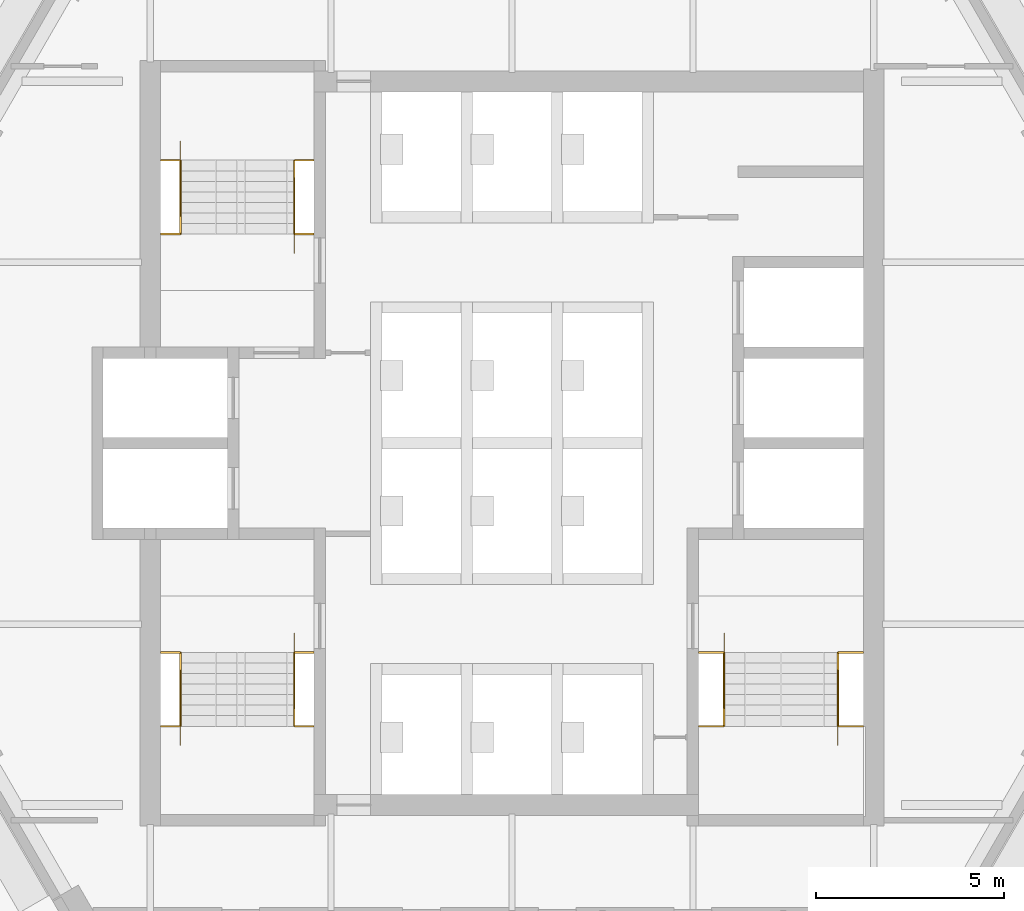
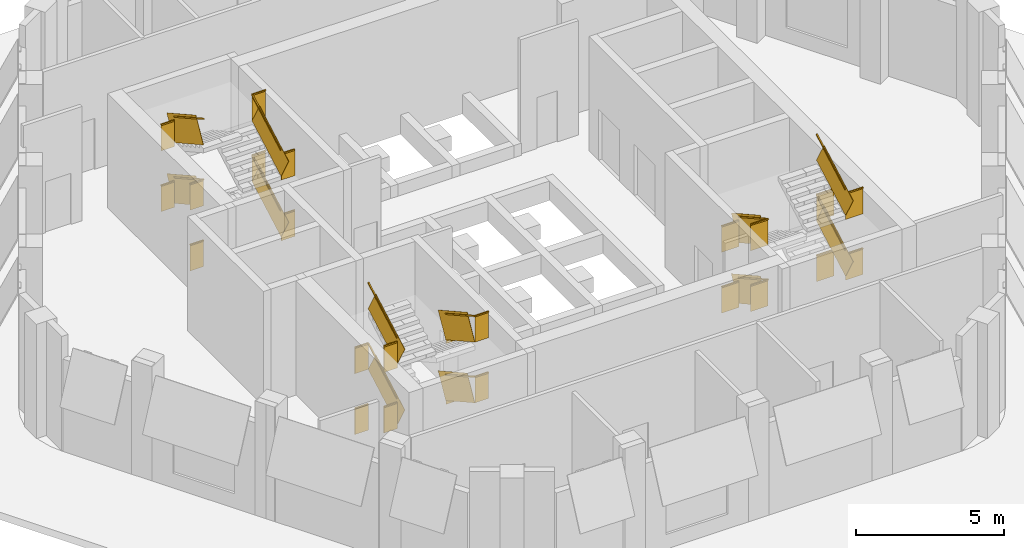
# One storey, part 9 of 9: 6 railings.
"""IFC4 building model written with IfcOpenShell, lengths in metres."""

from ifc_helpers import new_model, si_unit, direction, frame, frame_2d, origin, origin_2d, place, context, subcontext, project, spatial, rectangle, extrude, material, type_object, element, save


model = new_model("IFC4")

# Units and contexts
model_context = context("Model", 3, precision=1e-05, world=origin(), true_north=direction((0.0, 1.0)))
body_context = subcontext(model_context, "Body", "Model", "MODEL_VIEW")
ifc_project = project(units=[si_unit("LENGTHUNIT", "METRE"), si_unit("AREAUNIT", "SQUARE_METRE"), si_unit("VOLUMEUNIT", "CUBIC_METRE"), si_unit("PLANEANGLEUNIT", "RADIAN"), si_unit("MASSUNIT", "GRAM", prefix="KILO")], contexts=[model_context])

# Site, building, storey
site_placement = place(None, origin())
site = spatial("IfcSite", under=ifc_project, at=site_placement, CompositionType="ELEMENT")
building_placement = place(site_placement, origin())
building = spatial("IfcBuilding", under=site, at=building_placement, Name="Kolab Exchange Tower", CompositionType="ELEMENT")
storey_placement = place(building_placement, frame((0.0, 0.0, 296.89990234375)))
storey = spatial("IfcBuildingStorey", under=building, at=storey_placement, Name="L67", CompositionType="ELEMENT", Elevation=296.89990234375)

# Railings
ifc_material = material(Name="Stainless steel 316", Category="steel")
railing_type = type_object("IfcRailingType", Name="GUARD 1100", PredefinedType="GUARDRAIL", material=ifc_material)
railing_1_placement = place(storey_placement, frame((-9.324951171875, 5.550048828125, 0.0)))
element("IfcRailing", 1, at=railing_1_placement, inside=storey, type_object=railing_type, Name="Guard ST1", PredefinedType="GUARDRAIL", context=body_context, shape_type="SweptSolid", body=[
    extrude(rectangle(XDim=0.05, YDim=0.05, at=origin_2d()), frame((0.0, 0.0, 1.0751953125), z_axis=(1.0, 0.0, 0.0), x_axis=(0.0, 1.0, 0.0)), (0.0, 0.0, 1.0), 0.52734375),
    extrude(rectangle(XDim=0.012, YDim=1.05009765625, at=frame_2d((0.0, 0.525146484375))), frame((0.0, 0.0, 0.0), z_axis=(1.0, 0.0, 0.0), x_axis=(0.0, 1.0, 0.0)), (0.0, 0.0, 1.0), 0.52734375),
    extrude(rectangle(XDim=0.05, YDim=0.05, at=origin_2d()), frame((3.54736328125, 0.0, 1.0751953125), z_axis=(1.0, 0.0, 0.0), x_axis=(0.0, 1.0, 0.0)), (0.0, 0.0, 1.0), 0.527587890625),
    extrude(rectangle(XDim=0.012, YDim=1.05009765625, at=frame_2d((0.0, 0.525146484375))), frame((3.54736328125, 0.0, 0.0), z_axis=(1.0, 0.0, 0.0), x_axis=(0.0, 1.0, 0.0)), (0.0, 0.0, 1.0), 0.527587890625),
    extrude(rectangle(XDim=0.05, YDim=0.05, at=origin_2d()), frame((0.0, 1.9599609375, 2.3251953125), z_axis=(1.0, 0.0, 0.0), x_axis=(0.0, 1.0, 0.0)), (0.0, 0.0, 1.0), 0.52734375),
    extrude(rectangle(XDim=0.012, YDim=1.05009765625, at=frame_2d((0.0, 0.525146484375))), frame((0.0, 1.9599609375, 1.25), z_axis=(1.0, 0.0, 0.0), x_axis=(0.0, 1.0, 0.0)), (0.0, 0.0, 1.0), 0.52734375),
    extrude(rectangle(XDim=0.05, YDim=0.05, at=origin_2d()), frame((3.54736328125, 1.9599609375, 2.3251953125), z_axis=(1.0, 0.0, 0.0), x_axis=(0.0, 1.0, 0.0)), (0.0, 0.0, 1.0), 0.527587890625),
    extrude(rectangle(XDim=0.012, YDim=1.05009765625, at=frame_2d((0.0, 0.525146484375))), frame((3.54736328125, 1.9599609375, 1.25), z_axis=(1.0, 0.0, 0.0), x_axis=(0.0, 1.0, 0.0)), (0.0, 0.0, 1.0), 0.527587890625),
    extrude(rectangle(XDim=0.05, YDim=0.05, at=origin_2d()), frame((0.0, 0.0, 3.5751953125), z_axis=(1.0, 0.0, 0.0), x_axis=(0.0, 1.0, 0.0)), (0.0, 0.0, 1.0), 0.52734375),
    extrude(rectangle(XDim=0.012, YDim=1.05009765625, at=frame_2d((0.0, 0.525146484375))), frame((0.0, 0.0, 2.5), z_axis=(1.0, 0.0, 0.0), x_axis=(0.0, 1.0, 0.0)), (0.0, 0.0, 1.0), 0.52734375),
    extrude(rectangle(XDim=0.05, YDim=0.05, at=origin_2d()), frame((3.54736328125, 0.0, 3.5751953125), z_axis=(1.0, 0.0, 0.0), x_axis=(0.0, 1.0, 0.0)), (0.0, 0.0, 1.0), 0.527587890625),
    extrude(rectangle(XDim=0.012, YDim=1.05009765625, at=frame_2d((0.0, 0.525146484375))), frame((3.54736328125, 0.0, 2.5), z_axis=(1.0, 0.0, 0.0), x_axis=(0.0, 1.0, 0.0)), (0.0, 0.0, 1.0), 0.527587890625),
    extrude(rectangle(XDim=0.05, YDim=0.05, at=origin_2d()), frame((0.0, 1.9599609375, 4.8251953125), z_axis=(1.0, 0.0, 0.0), x_axis=(0.0, 1.0, 0.0)), (0.0, 0.0, 1.0), 0.52734375),
    extrude(rectangle(XDim=0.012, YDim=1.05009765625, at=frame_2d((0.0, 0.525146484375))), frame((0.0, 1.9599609375, 3.75), z_axis=(1.0, 0.0, 0.0), x_axis=(0.0, 1.0, 0.0)), (0.0, 0.0, 1.0), 0.52734375),
    extrude(rectangle(XDim=0.05, YDim=0.05, at=origin_2d()), frame((3.54736328125, 1.9599609375, 4.8251953125), z_axis=(1.0, 0.0, 0.0), x_axis=(0.0, 1.0, 0.0)), (0.0, 0.0, 1.0), 0.527587890625),
    extrude(rectangle(XDim=0.012, YDim=1.05009765625, at=frame_2d((0.0, 0.525146484375))), frame((3.54736328125, 1.9599609375, 3.75), z_axis=(1.0, 0.0, 0.0), x_axis=(0.0, 1.0, 0.0)), (0.0, 0.0, 1.0), 0.527587890625),
])
railing_2_placement = place(storey_placement, frame((-5.777587890625, 5.550048828125, 0.15625)))
element("IfcRailing", 2, at=railing_2_placement, inside=storey, type_object=railing_type, Name="Handrail guard ST1", PredefinedType="GUARDRAIL", context=body_context, shape_type="SweptSolid", body=[
    extrude(rectangle(XDim=0.05, YDim=0.05, at=origin_2d()), frame((0.0, 0.0, 1.0751953125), z_axis=(0.0, 0.873232148454, 0.487304437602), x_axis=(-1.0, 0.0, 0.0)), (0.0, 0.0, 1.0), 2.244384765625),
    extrude(rectangle(XDim=0.012, YDim=1.05009765625, at=frame_2d((0.0, 0.525146484375))), frame((0.0, 0.0, 0.0), z_axis=(0.0, 0.873232148454, 0.487304437602), x_axis=(-1.0, 0.0, 0.0)), (0.0, 0.0, 1.0), 2.244384765625),
    extrude(rectangle(XDim=0.05, YDim=0.05, at=origin_2d()), frame((-3.02001953125, 1.9599609375, 2.3251953125), z_axis=(0.0, -0.873232148454, 0.487304437602), x_axis=(1.0, 0.0, 0.0)), (0.0, 0.0, 1.0), 2.244384765625),
    extrude(rectangle(XDim=0.012, YDim=1.05009765625, at=frame_2d((0.0, 0.525146484375))), frame((-3.02001953125, 1.9599609375, 1.25), z_axis=(0.0, -0.873232148454, 0.487304437602), x_axis=(1.0, 0.0, 0.0)), (0.0, 0.0, 1.0), 2.244384765625),
    extrude(rectangle(XDim=0.05, YDim=0.05, at=origin_2d()), frame((0.0, 0.0, 3.5751953125), z_axis=(0.0, 0.873232148454, 0.487304437602), x_axis=(-1.0, 0.0, 0.0)), (0.0, 0.0, 1.0), 2.244384765625),
    extrude(rectangle(XDim=0.012, YDim=1.05009765625, at=frame_2d((0.0, 0.525146484375))), frame((0.0, 0.0, 2.5), z_axis=(0.0, 0.873232148454, 0.487304437602), x_axis=(-1.0, 0.0, 0.0)), (0.0, 0.0, 1.0), 2.244384765625),
    extrude(rectangle(XDim=0.05, YDim=0.05, at=origin_2d()), frame((-3.02001953125, 1.9599609375, 4.8251953125), z_axis=(0.0, -0.873232148454, 0.487304437602), x_axis=(1.0, 0.0, 0.0)), (0.0, 0.0, 1.0), 2.244384765625),
    extrude(rectangle(XDim=0.012, YDim=1.05009765625, at=frame_2d((0.0, 0.525146484375))), frame((-3.02001953125, 1.9599609375, 3.75), z_axis=(0.0, -0.873232148454, 0.487304437602), x_axis=(1.0, 0.0, 0.0)), (0.0, 0.0, 1.0), 2.244384765625),
])
railing_3_placement = place(storey_placement, frame((-9.324951171875, -5.550048828125, 0.0)))
element("IfcRailing", 3, at=railing_3_placement, inside=storey, type_object=railing_type, Name="Guard ST3", PredefinedType="GUARDRAIL", context=body_context, shape_type="SweptSolid", body=[
    extrude(rectangle(XDim=0.05, YDim=0.05, at=origin_2d()), frame((0.0, 0.0, 1.0751953125), z_axis=(1.0, 0.0, 0.0), x_axis=(0.0, 1.0, 0.0)), (0.0, 0.0, 1.0), 0.52734375),
    extrude(rectangle(XDim=0.012, YDim=1.05009765625, at=frame_2d((0.0, 0.525146484375))), frame((0.0, 0.0, 0.0), z_axis=(1.0, 0.0, 0.0), x_axis=(0.0, 1.0, 0.0)), (0.0, 0.0, 1.0), 0.52734375),
    extrude(rectangle(XDim=0.05, YDim=0.05, at=origin_2d()), frame((3.54736328125, 0.0, 1.0751953125), z_axis=(1.0, 0.0, 0.0), x_axis=(0.0, 1.0, 0.0)), (0.0, 0.0, 1.0), 0.527587890625),
    extrude(rectangle(XDim=0.012, YDim=1.05009765625, at=frame_2d((0.0, 0.525146484375))), frame((3.54736328125, 0.0, 0.0), z_axis=(1.0, 0.0, 0.0), x_axis=(0.0, 1.0, 0.0)), (0.0, 0.0, 1.0), 0.527587890625),
    extrude(rectangle(XDim=0.05, YDim=0.05, at=origin_2d()), frame((0.0, -1.9599609375, 2.3251953125), z_axis=(1.0, 0.0, 0.0), x_axis=(0.0, 1.0, 0.0)), (0.0, 0.0, 1.0), 0.52734375),
    extrude(rectangle(XDim=0.012, YDim=1.05009765625, at=frame_2d((0.0, 0.525146484375))), frame((0.0, -1.9599609375, 1.25), z_axis=(1.0, 0.0, 0.0), x_axis=(0.0, 1.0, 0.0)), (0.0, 0.0, 1.0), 0.52734375),
    extrude(rectangle(XDim=0.05, YDim=0.05, at=origin_2d()), frame((3.54736328125, -1.9599609375, 2.3251953125), z_axis=(1.0, 0.0, 0.0), x_axis=(0.0, 1.0, 0.0)), (0.0, 0.0, 1.0), 0.527587890625),
    extrude(rectangle(XDim=0.012, YDim=1.05009765625, at=frame_2d((0.0, 0.525146484375))), frame((3.54736328125, -1.9599609375, 1.25), z_axis=(1.0, 0.0, 0.0), x_axis=(0.0, 1.0, 0.0)), (0.0, 0.0, 1.0), 0.527587890625),
    extrude(rectangle(XDim=0.05, YDim=0.05, at=origin_2d()), frame((0.0, 0.0, 3.5751953125), z_axis=(1.0, 0.0, 0.0), x_axis=(0.0, 1.0, 0.0)), (0.0, 0.0, 1.0), 0.52734375),
    extrude(rectangle(XDim=0.012, YDim=1.05009765625, at=frame_2d((0.0, 0.525146484375))), frame((0.0, 0.0, 2.5), z_axis=(1.0, 0.0, 0.0), x_axis=(0.0, 1.0, 0.0)), (0.0, 0.0, 1.0), 0.52734375),
    extrude(rectangle(XDim=0.05, YDim=0.05, at=origin_2d()), frame((3.54736328125, 0.0, 3.5751953125), z_axis=(1.0, 0.0, 0.0), x_axis=(0.0, 1.0, 0.0)), (0.0, 0.0, 1.0), 0.527587890625),
    extrude(rectangle(XDim=0.012, YDim=1.05009765625, at=frame_2d((0.0, 0.525146484375))), frame((3.54736328125, 0.0, 2.5), z_axis=(1.0, 0.0, 0.0), x_axis=(0.0, 1.0, 0.0)), (0.0, 0.0, 1.0), 0.527587890625),
    extrude(rectangle(XDim=0.05, YDim=0.05, at=origin_2d()), frame((0.0, -1.9599609375, 4.8251953125), z_axis=(1.0, 0.0, 0.0), x_axis=(0.0, 1.0, 0.0)), (0.0, 0.0, 1.0), 0.52734375),
    extrude(rectangle(XDim=0.012, YDim=1.05009765625, at=frame_2d((0.0, 0.525146484375))), frame((0.0, -1.9599609375, 3.75), z_axis=(1.0, 0.0, 0.0), x_axis=(0.0, 1.0, 0.0)), (0.0, 0.0, 1.0), 0.52734375),
    extrude(rectangle(XDim=0.05, YDim=0.05, at=origin_2d()), frame((3.54736328125, -1.9599609375, 4.8251953125), z_axis=(1.0, 0.0, 0.0), x_axis=(0.0, 1.0, 0.0)), (0.0, 0.0, 1.0), 0.527587890625),
    extrude(rectangle(XDim=0.012, YDim=1.05009765625, at=frame_2d((0.0, 0.525146484375))), frame((3.54736328125, -1.9599609375, 3.75), z_axis=(1.0, 0.0, 0.0), x_axis=(0.0, 1.0, 0.0)), (0.0, 0.0, 1.0), 0.527587890625),
])
railing_4_placement = place(storey_placement, frame((-5.777587890625, -5.550048828125, 0.15625)))
element("IfcRailing", 4, at=railing_4_placement, inside=storey, type_object=railing_type, Name="Handrail guard ST3", PredefinedType="GUARDRAIL", context=body_context, shape_type="SweptSolid", body=[
    extrude(rectangle(XDim=0.05, YDim=0.05, at=origin_2d()), frame((0.0, 0.0, 1.0751953125), z_axis=(0.0, -0.873232148454, 0.487304437602), x_axis=(1.0, 0.0, 0.0)), (0.0, 0.0, 1.0), 2.244384765625),
    extrude(rectangle(XDim=0.012, YDim=1.05009765625, at=frame_2d((0.0, 0.525146484375))), frame((0.0, 0.0, 0.0), z_axis=(0.0, -0.873232148454, 0.487304437602), x_axis=(1.0, 0.0, 0.0)), (0.0, 0.0, 1.0), 2.244384765625),
    extrude(rectangle(XDim=0.05, YDim=0.05, at=origin_2d()), frame((-3.02001953125, -1.9599609375, 2.3251953125), z_axis=(0.0, 0.873232148454, 0.487304437602), x_axis=(-1.0, 0.0, 0.0)), (0.0, 0.0, 1.0), 2.244384765625),
    extrude(rectangle(XDim=0.012, YDim=1.05009765625, at=frame_2d((0.0, 0.525146484375))), frame((-3.02001953125, -1.9599609375, 1.25), z_axis=(0.0, 0.873232148454, 0.487304437602), x_axis=(-1.0, 0.0, 0.0)), (0.0, 0.0, 1.0), 2.244384765625),
    extrude(rectangle(XDim=0.05, YDim=0.05, at=origin_2d()), frame((0.0, 0.0, 3.5751953125), z_axis=(0.0, -0.873232148454, 0.487304437602), x_axis=(1.0, 0.0, 0.0)), (0.0, 0.0, 1.0), 2.244384765625),
    extrude(rectangle(XDim=0.012, YDim=1.05009765625, at=frame_2d((0.0, 0.525146484375))), frame((0.0, 0.0, 2.5), z_axis=(0.0, -0.873232148454, 0.487304437602), x_axis=(1.0, 0.0, 0.0)), (0.0, 0.0, 1.0), 2.244384765625),
    extrude(rectangle(XDim=0.05, YDim=0.05, at=origin_2d()), frame((-3.02001953125, -1.9599609375, 4.8251953125), z_axis=(0.0, 0.873232148454, 0.487304437602), x_axis=(-1.0, 0.0, 0.0)), (0.0, 0.0, 1.0), 2.244384765625),
    extrude(rectangle(XDim=0.012, YDim=1.05009765625, at=frame_2d((0.0, 0.525146484375))), frame((-3.02001953125, -1.9599609375, 3.75), z_axis=(0.0, 0.873232148454, 0.487304437602), x_axis=(-1.0, 0.0, 0.0)), (0.0, 0.0, 1.0), 2.244384765625),
])
railing_5_placement = place(storey_placement, frame((4.949951171875, -5.550048828125, 0.0)))
element("IfcRailing", 5, at=railing_5_placement, inside=storey, type_object=railing_type, Name="Guard ST2", PredefinedType="GUARDRAIL", context=body_context, shape_type="SweptSolid", body=[
    extrude(rectangle(XDim=0.05, YDim=0.05, at=origin_2d()), frame((0.0, 0.0, 1.0751953125), z_axis=(1.0, 0.0, 0.0), x_axis=(0.0, 1.0, 0.0)), (0.0, 0.0, 1.0), 0.677490234375),
    extrude(rectangle(XDim=0.012, YDim=1.05009765625, at=frame_2d((0.0, 0.525146484375))), frame((0.0, 0.0, 0.0), z_axis=(1.0, 0.0, 0.0), x_axis=(0.0, 1.0, 0.0)), (0.0, 0.0, 1.0), 0.677490234375),
    extrude(rectangle(XDim=0.05, YDim=0.05, at=origin_2d()), frame((3.697509765625, 0.0, 1.0751953125), z_axis=(1.0, 0.0, 0.0), x_axis=(0.0, 1.0, 0.0)), (0.0, 0.0, 1.0), 0.677490234375),
    extrude(rectangle(XDim=0.012, YDim=1.05009765625, at=frame_2d((0.0, 0.525146484375))), frame((3.697509765625, 0.0, 0.0), z_axis=(1.0, 0.0, 0.0), x_axis=(0.0, 1.0, 0.0)), (0.0, 0.0, 1.0), 0.677490234375),
    extrude(rectangle(XDim=0.05, YDim=0.05, at=origin_2d()), frame((0.0, -1.9599609375, 2.3251953125), z_axis=(1.0, 0.0, 0.0), x_axis=(0.0, 1.0, 0.0)), (0.0, 0.0, 1.0), 0.677490234375),
    extrude(rectangle(XDim=0.012, YDim=1.05009765625, at=frame_2d((0.0, 0.525146484375))), frame((0.0, -1.9599609375, 1.25), z_axis=(1.0, 0.0, 0.0), x_axis=(0.0, 1.0, 0.0)), (0.0, 0.0, 1.0), 0.677490234375),
    extrude(rectangle(XDim=0.05, YDim=0.05, at=origin_2d()), frame((3.697509765625, -1.9599609375, 2.3251953125), z_axis=(1.0, 0.0, 0.0), x_axis=(0.0, 1.0, 0.0)), (0.0, 0.0, 1.0), 0.677490234375),
    extrude(rectangle(XDim=0.012, YDim=1.05009765625, at=frame_2d((0.0, 0.525146484375))), frame((3.697509765625, -1.9599609375, 1.25), z_axis=(1.0, 0.0, 0.0), x_axis=(0.0, 1.0, 0.0)), (0.0, 0.0, 1.0), 0.677490234375),
    extrude(rectangle(XDim=0.05, YDim=0.05, at=origin_2d()), frame((0.0, 0.0, 3.5751953125), z_axis=(1.0, 0.0, 0.0), x_axis=(0.0, 1.0, 0.0)), (0.0, 0.0, 1.0), 0.677490234375),
    extrude(rectangle(XDim=0.012, YDim=1.05009765625, at=frame_2d((0.0, 0.525146484375))), frame((0.0, 0.0, 2.5), z_axis=(1.0, 0.0, 0.0), x_axis=(0.0, 1.0, 0.0)), (0.0, 0.0, 1.0), 0.677490234375),
    extrude(rectangle(XDim=0.05, YDim=0.05, at=origin_2d()), frame((3.697509765625, 0.0, 3.5751953125), z_axis=(1.0, 0.0, 0.0), x_axis=(0.0, 1.0, 0.0)), (0.0, 0.0, 1.0), 0.677490234375),
    extrude(rectangle(XDim=0.012, YDim=1.05009765625, at=frame_2d((0.0, 0.525146484375))), frame((3.697509765625, 0.0, 2.5), z_axis=(1.0, 0.0, 0.0), x_axis=(0.0, 1.0, 0.0)), (0.0, 0.0, 1.0), 0.677490234375),
    extrude(rectangle(XDim=0.05, YDim=0.05, at=origin_2d()), frame((0.0, -1.9599609375, 4.8251953125), z_axis=(1.0, 0.0, 0.0), x_axis=(0.0, 1.0, 0.0)), (0.0, 0.0, 1.0), 0.677490234375),
    extrude(rectangle(XDim=0.012, YDim=1.05009765625, at=frame_2d((0.0, 0.525146484375))), frame((0.0, -1.9599609375, 3.75), z_axis=(1.0, 0.0, 0.0), x_axis=(0.0, 1.0, 0.0)), (0.0, 0.0, 1.0), 0.677490234375),
    extrude(rectangle(XDim=0.05, YDim=0.05, at=origin_2d()), frame((3.697509765625, -1.9599609375, 4.8251953125), z_axis=(1.0, 0.0, 0.0), x_axis=(0.0, 1.0, 0.0)), (0.0, 0.0, 1.0), 0.677490234375),
    extrude(rectangle(XDim=0.012, YDim=1.05009765625, at=frame_2d((0.0, 0.525146484375))), frame((3.697509765625, -1.9599609375, 3.75), z_axis=(1.0, 0.0, 0.0), x_axis=(0.0, 1.0, 0.0)), (0.0, 0.0, 1.0), 0.677490234375),
])
railing_6_placement = place(storey_placement, frame((5.62744140625, -5.550048828125, 0.15625)))
element("IfcRailing", 6, at=railing_6_placement, inside=storey, type_object=railing_type, Name="Handrail guard ST2", PredefinedType="GUARDRAIL", context=body_context, shape_type="SweptSolid", body=[
    extrude(rectangle(XDim=0.05, YDim=0.05, at=origin_2d()), frame((0.0, 0.0, 1.0751953125), z_axis=(0.0, -0.873232148454, 0.487304437602), x_axis=(1.0, 0.0, 0.0)), (0.0, 0.0, 1.0), 2.244384765625),
    extrude(rectangle(XDim=0.012, YDim=1.05009765625, at=frame_2d((0.0, 0.525146484375))), frame((0.0, 0.0, 0.0), z_axis=(0.0, -0.873232148454, 0.487304437602), x_axis=(1.0, 0.0, 0.0)), (0.0, 0.0, 1.0), 2.244384765625),
    extrude(rectangle(XDim=0.05, YDim=0.05, at=origin_2d()), frame((3.02001953125, -1.9599609375, 2.3251953125), z_axis=(0.0, 0.873232148454, 0.487304437602), x_axis=(-1.0, 0.0, 0.0)), (0.0, 0.0, 1.0), 2.244384765625),
    extrude(rectangle(XDim=0.012, YDim=1.05009765625, at=frame_2d((0.0, 0.525146484375))), frame((3.02001953125, -1.9599609375, 1.25), z_axis=(0.0, 0.873232148454, 0.487304437602), x_axis=(-1.0, 0.0, 0.0)), (0.0, 0.0, 1.0), 2.244384765625),
    extrude(rectangle(XDim=0.05, YDim=0.05, at=origin_2d()), frame((0.0, 0.0, 3.5751953125), z_axis=(0.0, -0.873232148454, 0.487304437602), x_axis=(1.0, 0.0, 0.0)), (0.0, 0.0, 1.0), 2.244384765625),
    extrude(rectangle(XDim=0.012, YDim=1.05009765625, at=frame_2d((0.0, 0.525146484375))), frame((0.0, 0.0, 2.5), z_axis=(0.0, -0.873232148454, 0.487304437602), x_axis=(1.0, 0.0, 0.0)), (0.0, 0.0, 1.0), 2.244384765625),
    extrude(rectangle(XDim=0.05, YDim=0.05, at=origin_2d()), frame((3.02001953125, -1.9599609375, 4.8251953125), z_axis=(0.0, 0.873232148454, 0.487304437602), x_axis=(-1.0, 0.0, 0.0)), (0.0, 0.0, 1.0), 2.244384765625),
    extrude(rectangle(XDim=0.012, YDim=1.05009765625, at=frame_2d((0.0, 0.525146484375))), frame((3.02001953125, -1.9599609375, 3.75), z_axis=(0.0, 0.873232148454, 0.487304437602), x_axis=(-1.0, 0.0, 0.0)), (0.0, 0.0, 1.0), 2.244384765625),
])

save(model, "model.ifc")
